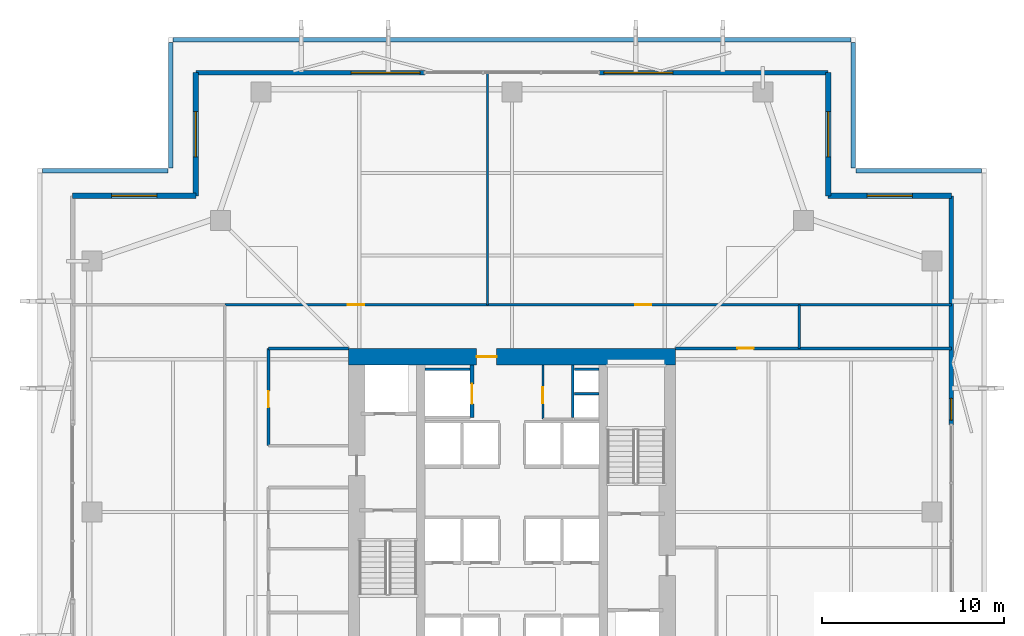
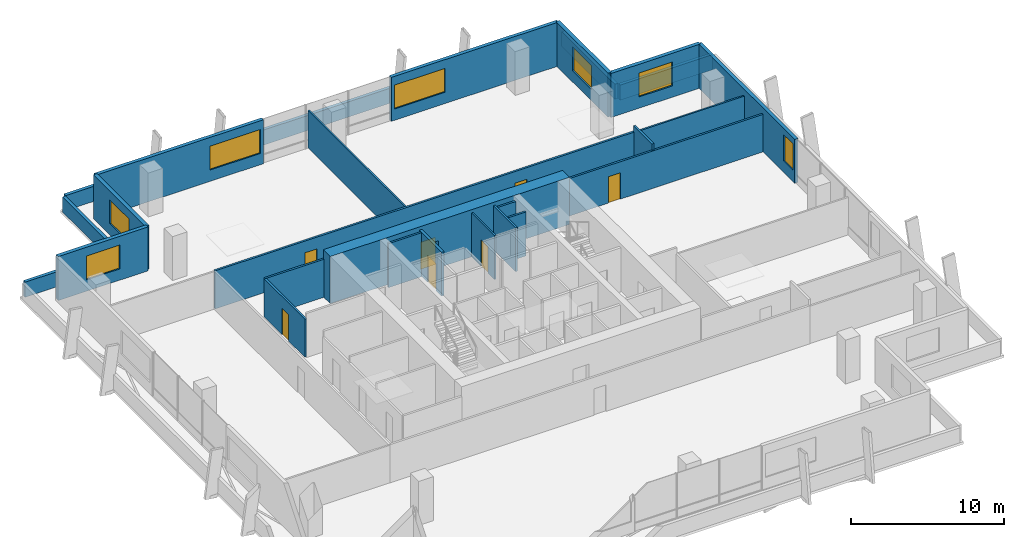
# One storey, part 14 of 16: 26 walls, 7 doors, 7 windows, 14 openings.
"""IFC4 building model written with IfcOpenShell, lengths in metres."""

from ifc_helpers import new_model, si_unit, direction, frame, frame_2d, origin, place, context, subcontext, project, spatial, rectangle, extrude, material, layer, layer_set, type_object, element, fill, save


model = new_model("IFC4")

# Units and contexts
model_context = context("Model", 3, precision=1e-05, world=origin(), true_north=direction((0.0, 1.0)))
body_context = subcontext(model_context, "Body", "Model", "MODEL_VIEW")
ifc_project = project(units=[si_unit("LENGTHUNIT", "METRE"), si_unit("AREAUNIT", "SQUARE_METRE"), si_unit("VOLUMEUNIT", "CUBIC_METRE"), si_unit("PLANEANGLEUNIT", "RADIAN"), si_unit("MASSUNIT", "GRAM", prefix="KILO")], contexts=[model_context])

# Site, building, storey
site_placement = place(None, origin())
site = spatial("IfcSite", under=ifc_project, at=site_placement, CompositionType="ELEMENT")
building_placement = place(site_placement, origin())
building = spatial("IfcBuilding", under=site, at=building_placement, Name="Belovzor Exchange Tower", CompositionType="ELEMENT")
storey_placement = place(building_placement, frame((0.0, 0.0, 138.300048828125)))
storey = spatial("IfcBuildingStorey", under=building, at=storey_placement, Name="L33", CompositionType="ELEMENT", Elevation=138.300048828125)

# Walls
ifc_material_1 = material(Name="Acoustic Plasterboard on Galvanised Studs", Category="gypsum")
ifc_layer_1 = layer(ifc_material_1, 0.1201171875)
ifc_layer_set_1 = layer_set([ifc_layer_1], Name="Acoustic Plasterboard on Galvanised Studs")
wall_type_1 = type_object("IfcWallType", Name="Acoustic Double-Stud Partition Wall 120", PredefinedType="PARTITIONING", material=ifc_layer_set_1)
wall_1_placement = place(storey_placement, frame((27.449951171875, 40.199951171875, 0.0), z_axis=(0.0, 0.0, 1.0), x_axis=(0.0, 1.0, 0.0)))
element("IfcWall", 1, at=wall_1_placement, inside=storey, type_object=wall_type_1, Name="W-P120 Partition Wall W-L33-NDIV-1", PredefinedType="PARTITIONING", context=body_context, shape_type="SweptSolid", body=[
    extrude(rectangle(XDim=12.77001953125, YDim=0.1201171875, at=frame_2d((6.385009765625, 0.0))), origin(), (0.0, 0.0, 1.0), 2.97998046875),
])
wall_2_placement = place(storey_placement, frame((44.60009765625, 40.199951171875, 0.0), z_axis=(0.0, 0.0, 1.0), x_axis=(1.0, 0.0, 0.0)))
element("IfcWall", 2, at=wall_2_placement, inside=storey, type_object=wall_type_1, Name="W-P120 Partition Wall W-L33-END-NE", PredefinedType="PARTITIONING", context=body_context, shape_type="SweptSolid", body=[
    extrude(rectangle(XDim=8.369873046875, YDim=0.1201171875, at=frame_2d((4.18505859375, 0.0))), origin(), (0.0, 0.0, 1.0), 2.97998046875),
])

# Wall, opening, door
ifc_material_2 = material(Name="Fire-Rated Plasterboard on Galvanised Studs", Category="gypsum")
ifc_layer_2 = layer(ifc_material_2, 0.1201171875)
ifc_layer_set_2 = layer_set([ifc_layer_2], Name="Fire-Rated Plasterboard on Galvanised Studs")
wall_type_2 = type_object("IfcWallType", Name="Fire-Rated Double-Stud Partition Wall 120", PredefinedType="PARTITIONING", material=ifc_layer_set_2)
wall_3_placement = place(storey_placement, frame((30.5, 33.925048828125, 0.0), z_axis=(0.0, 0.0, 1.0), x_axis=(0.0, 1.0, 0.0)))
wall_3 = element("IfcWall", 3, at=wall_3_placement, inside=storey, type_object=wall_type_2, Name="W-P120F Partition Wall W-CRV-L33-W", PredefinedType="PARTITIONING", context=body_context, shape_type="SweptSolid", body=[
    extrude(rectangle(XDim=2.974853515625, YDim=0.1201171875, at=frame_2d((1.4873046875, 0.0))), origin(), (0.0, 0.0, 1.0), 3.494873046875),
])
opening_1_placement = place(wall_3_placement, frame((0.85009765625, 0.0, 0.0)))
opening_1 = element("IfcOpeningElement", 4, at=opening_1_placement, cuts=wall_3, Name="Opening D-FD60-090", PredefinedType="OPENING", context=body_context, shape_type="SweptSolid", body=[
    extrude(rectangle(XDim=0.89990234375, YDim=2.10009765625, at=frame_2d((0.449951171875, 1.050048828125))), frame((0.0, 0.070068359375, 0.0), z_axis=(0.0, -1.0, 0.0), x_axis=(1.0, 0.0, 0.0)), (0.0, 0.0, 1.0), 0.14013671875),
])
ifc_material_3 = material(Name="Acoustic Timber Fire Leaf", Category="wood")
door_type_1 = type_object("IfcDoorType", Name="Core Service & Restroom Fire Door 900x2100", OperationType="NOTDEFINED", PredefinedType="DOOR", material=ifc_material_3)
door_1_placement = place(opening_1_placement, origin())
door_1 = element("IfcDoor", 5, at=door_1_placement, inside=storey, type_object=door_type_1, Name="D-FD60-090 Core Service & Restroom Fire Door 900x2100", OperationType="SINGLE_SWING_LEFT", OverallHeight=2.10009765625, OverallWidth=0.89990234375, PredefinedType="DOOR", context=body_context, shape_type="SweptSolid", body=[
    extrude(rectangle(XDim=0.89990234375, YDim=2.10009765625, at=frame_2d((0.449951171875, 1.050048828125))), frame((0.0, 0.02490234375, 0.0), z_axis=(0.0, -1.0, 0.0), x_axis=(1.0, 0.0, 0.0)), (0.0, 0.0, 1.0), 0.050048828125),
])
fill(opening_1, door_1)

# Wall
ifc_material_4 = material(Name="Fire-Rated Gypsum Block and Mineral Wool", Category="gypsum")
ifc_layer_3 = layer(ifc_material_4, 0.14990234375)
ifc_layer_set_3 = layer_set([ifc_layer_3], Name="Fire-Rated Gypsum Block and Mineral Wool")
wall_type_3 = type_object("IfcWallType", Name="Fire-Rated Gypsum Block Corridor Wall 150", PredefinedType="PARTITIONING", material=ifc_layer_set_3)
wall_4_placement = place(storey_placement, frame((15.39990234375, 37.800048828125, 0.0), z_axis=(0.0, 0.0, 1.0), x_axis=(1.0, 0.0, 0.0)))
element("IfcWall", 6, at=wall_4_placement, inside=storey, type_object=wall_type_3, Name="W-P150 Partition Wall W-L33-INW-N", PredefinedType="PARTITIONING", context=body_context, shape_type="SweptSolid", body=[
    extrude(rectangle(XDim=4.400146484375, YDim=0.14990234375, at=frame_2d((2.2001953125, 0.0))), origin(), (0.0, 0.0, 1.0), 3.030029296875),
])

# Wall, opening, door
wall_5_placement = place(storey_placement, frame((15.39990234375, 32.449951171875, 0.0), z_axis=(0.0, 0.0, 1.0), x_axis=(0.0, 1.0, 0.0)))
wall_5 = element("IfcWall", 7, at=wall_5_placement, inside=storey, type_object=wall_type_3, Name="W-P150 Partition Wall W-L33-WIE-N", PredefinedType="PARTITIONING", context=body_context, shape_type="SweptSolid", body=[
    extrude(rectangle(XDim=5.35009765625, YDim=0.14990234375, at=frame_2d((2.675048828125, 0.0))), origin(), (0.0, 0.0, 1.0), 3.030029296875),
])
opening_2_placement = place(wall_5_placement, frame((2.10009765625, 0.0, 0.0)))
opening_2 = element("IfcOpeningElement", 8, at=opening_2_placement, cuts=wall_5, Name="Opening D-FD60-090", PredefinedType="OPENING", context=body_context, shape_type="SweptSolid", body=[
    extrude(rectangle(XDim=0.89990234375, YDim=2.10009765625, at=frame_2d((0.449951171875, 1.050048828125))), frame((0.0, 0.0849609375, 0.0), z_axis=(0.0, -1.0, 0.0), x_axis=(1.0, 0.0, 0.0)), (0.0, 0.0, 1.0), 0.169921875),
])
door_2_placement = place(opening_2_placement, origin())
door_2 = element("IfcDoor", 9, at=door_2_placement, inside=storey, type_object=door_type_1, Name="D-FD60-090 Core Service & Restroom Fire Door 900x2100", OperationType="SINGLE_SWING_LEFT", OverallHeight=2.10009765625, OverallWidth=0.89990234375, PredefinedType="DOOR", context=body_context, shape_type="SweptSolid", body=[
    extrude(rectangle(XDim=0.89990234375, YDim=2.10009765625, at=frame_2d((0.449951171875, 1.050048828125))), frame((0.0, 0.02490234375, 0.0), z_axis=(0.0, -1.0, 0.0), x_axis=(1.0, 0.0, 0.0)), (0.0, 0.0, 1.0), 0.050048828125),
])
fill(opening_2, door_2)

# Wall
wall_6_placement = place(storey_placement, frame((44.60009765625, 37.800048828125, 0.0), z_axis=(0.0, 0.0, 1.0), x_axis=(0.0, 1.0, 0.0)))
element("IfcWall", 10, at=wall_6_placement, inside=storey, type_object=wall_type_3, Name="W-P150 Partition Wall W-L33-END-EN", PredefinedType="PARTITIONING", context=body_context, shape_type="SweptSolid", body=[
    extrude(rectangle(XDim=2.39990234375, YDim=0.14990234375, at=frame_2d((1.199951171875, 0.0))), origin(), (0.0, 0.0, 1.0), 3.494873046875),
])

# Wall, opening, door
wall_7_placement = place(storey_placement, frame((37.800048828125, 37.800048828125, 0.0), z_axis=(0.0, 0.0, 1.0), x_axis=(1.0, 0.0, 0.0)))
wall_7 = element("IfcWall", 11, at=wall_7_placement, inside=storey, type_object=wall_type_3, Name="W-P150 Partition Wall W-L33-CN-IN", PredefinedType="PARTITIONING", context=body_context, shape_type="SweptSolid", body=[
    extrude(rectangle(XDim=15.169921875, YDim=0.14990234375, at=frame_2d((7.5849609375, 0.0))), origin(), (0.0, 0.0, 1.0), 2.97998046875),
])
opening_3_placement = place(wall_7_placement, frame((3.39990234375, 0.0, 0.0)))
opening_3 = element("IfcOpeningElement", 12, at=opening_3_placement, cuts=wall_7, Name="Opening D-INT-090", PredefinedType="OPENING", context=body_context, shape_type="SweptSolid", body=[
    extrude(rectangle(XDim=0.89990234375, YDim=2.10009765625, at=frame_2d((0.449951171875, 1.050048828125))), frame((0.0, 0.0849609375, 0.0), z_axis=(0.0, -1.0, 0.0), x_axis=(1.0, 0.0, 0.0)), (0.0, 0.0, 1.0), 0.169921875),
])
ifc_material_5 = material(Name="Veneered Hardwood Acoustic Leaf", Category="wood")
door_type_2 = type_object("IfcDoorType", Name="Trading Suite Acoustic Single Door 900x2100", OperationType="NOTDEFINED", PredefinedType="DOOR", material=ifc_material_5)
door_3_placement = place(opening_3_placement, origin())
door_3 = element("IfcDoor", 13, at=door_3_placement, inside=storey, type_object=door_type_2, Name="D-INT-090 Trading Suite Acoustic Single Door 900x2100", OperationType="SINGLE_SWING_RIGHT", OverallHeight=2.10009765625, OverallWidth=0.89990234375, PredefinedType="DOOR", context=body_context, shape_type="SweptSolid", body=[
    extrude(rectangle(XDim=0.89990234375, YDim=2.10009765625, at=frame_2d((0.449951171875, 1.050048828125))), frame((0.0, 0.02490234375, 0.0), z_axis=(0.0, -1.0, 0.0), x_axis=(1.0, 0.0, 0.0)), (0.0, 0.0, 1.0), 0.050048828125),
])
fill(opening_3, door_3)

# Wall, openings, doors
wall_8_placement = place(storey_placement, frame((13.0, 40.199951171875, 0.0), z_axis=(0.0, 0.0, 1.0), x_axis=(1.0, 0.0, 0.0)))
wall_8 = element("IfcWall", 14, at=wall_8_placement, inside=storey, type_object=wall_type_3, Name="W-P150 Partition Wall W-L33-CN", PredefinedType="PARTITIONING", context=body_context, shape_type="SweptSolid", body=[
    extrude(rectangle(XDim=31.60009765625, YDim=0.14990234375, at=frame_2d((15.800048828125, 0.0))), origin(), (0.0, 0.0, 1.0), 3.030029296875),
])
opening_4_placement = place(wall_8_placement, frame((6.77490234375, 0.0, 0.0)))
opening_4 = element("IfcOpeningElement", 15, at=opening_4_placement, cuts=wall_8, Name="Opening D-INT-090", PredefinedType="OPENING", context=body_context, shape_type="SweptSolid", body=[
    extrude(rectangle(XDim=0.89990234375, YDim=2.10009765625, at=frame_2d((0.449951171875, 1.050048828125))), frame((0.0, 0.0849609375, 0.0), z_axis=(0.0, -1.0, 0.0), x_axis=(1.0, 0.0, 0.0)), (0.0, 0.0, 1.0), 0.169921875),
])
opening_5_placement = place(wall_8_placement, frame((22.574951171875, 0.0, 0.0)))
opening_5 = element("IfcOpeningElement", 16, at=opening_5_placement, cuts=wall_8, Name="Opening D-INT-090", PredefinedType="OPENING", context=body_context, shape_type="SweptSolid", body=[
    extrude(rectangle(XDim=0.89990234375, YDim=2.10009765625, at=frame_2d((0.449951171875, 1.050048828125))), frame((0.0, 0.0849609375, 0.0), z_axis=(0.0, -1.0, 0.0), x_axis=(1.0, 0.0, 0.0)), (0.0, 0.0, 1.0), 0.169921875),
])
door_4_placement = place(opening_4_placement, origin())
door_4 = element("IfcDoor", 17, at=door_4_placement, inside=storey, type_object=door_type_2, Name="D-INT-090 Trading Suite Acoustic Single Door 900x2100", OperationType="SINGLE_SWING_RIGHT", OverallHeight=2.10009765625, OverallWidth=0.89990234375, PredefinedType="DOOR", context=body_context, shape_type="SweptSolid", body=[
    extrude(rectangle(XDim=0.89990234375, YDim=2.10009765625, at=frame_2d((0.449951171875, 1.050048828125))), frame((0.0, 0.02490234375, 0.0), z_axis=(0.0, -1.0, 0.0), x_axis=(1.0, 0.0, 0.0)), (0.0, 0.0, 1.0), 0.050048828125),
])
fill(opening_4, door_4)
door_5_placement = place(opening_5_placement, origin())
door_5 = element("IfcDoor", 18, at=door_5_placement, inside=storey, type_object=door_type_2, Name="D-INT-090 Trading Suite Acoustic Single Door 900x2100", OperationType="SINGLE_SWING_LEFT", OverallHeight=2.10009765625, OverallWidth=0.89990234375, PredefinedType="DOOR", context=body_context, shape_type="SweptSolid", body=[
    extrude(rectangle(XDim=0.89990234375, YDim=2.10009765625, at=frame_2d((0.449951171875, 1.050048828125))), frame((0.0, 0.02490234375, 0.0), z_axis=(0.0, -1.0, 0.0), x_axis=(1.0, 0.0, 0.0)), (0.0, 0.0, 1.0), 0.050048828125),
])
fill(opening_5, door_5)

# Wall, opening, window
ifc_material_6 = material(Name="Precast concrete C40/50", Category="concrete")
ifc_layer_4 = layer(ifc_material_6, 0.280029296875)
ifc_layer_set_4 = layer_set([ifc_layer_4], Name="Precast concrete C40/50")
wall_type_4 = type_object("IfcWallType", Name="Precast Concrete Notched Corner Frame Wall 280", PredefinedType="SOLIDWALL", material=ifc_layer_set_4)
wall_9_placement = place(storey_placement, frame((4.6298828125, 46.199951171875, 0.0), z_axis=(0.0, 0.0, 1.0), x_axis=(1.0, 0.0, 0.0)))
wall_9 = element("IfcWall", 19, at=wall_9_placement, inside=storey, type_object=wall_type_4, Name="W-CRN280 Precast Concrete Notched Corner Frame Wall 280 L33", PredefinedType="SOLIDWALL", context=body_context, shape_type="SweptSolid", body=[
    extrude(rectangle(XDim=6.77001953125, YDim=0.280029296875, at=frame_2d((3.385009765625, 0.0))), origin(), (0.0, 0.0, 1.0), 3.494873046875),
])
opening_6_placement = place(wall_9_placement, frame((2.135009765625, 0.0, 0.89990234375)))
opening_6 = element("IfcOpeningElement", 20, at=opening_6_placement, cuts=wall_9, Name="Opening WN-CRN250", PredefinedType="OPENING", context=body_context, shape_type="SweptSolid", body=[
    extrude(rectangle(XDim=2.5, YDim=1.89990234375, at=frame_2d((1.25, 0.949951171875))), frame((0.0, 0.14990234375, 0.0), z_axis=(0.0, -1.0, 0.0), x_axis=(1.0, 0.0, 0.0)), (0.0, 0.0, 1.0), 0.300048828125),
])
ifc_material_7 = material(Name="Thermally Broken Aluminium and Triple Glazing", Category="aluminium")
window_type_1 = type_object("IfcWindowType", Name="Streamline Moderne Corner Wrap Ribbon Window 2500x1900", PartitioningType="SINGLE_PANEL", PredefinedType="WINDOW", material=ifc_material_7)
window_1_placement = place(opening_6_placement, origin())
window_1 = element("IfcWindow", 21, at=window_1_placement, inside=storey, type_object=window_type_1, Name="WN-CRN250 Streamline Moderne Corner Wrap Ribbon Window 2500x1900", OverallHeight=1.89990234375, OverallWidth=2.5, PartitioningType="SINGLE_PANEL", PredefinedType="WINDOW", context=body_context, shape_type="SweptSolid", body=[
    extrude(rectangle(XDim=2.5, YDim=1.89990234375, at=frame_2d((1.25, 0.949951171875))), frame((0.0, 0.030029296875, 0.0), z_axis=(0.0, -1.0, 0.0), x_axis=(1.0, 0.0, 0.0)), (0.0, 0.0, 1.0), 0.06005859375),
])
fill(opening_6, window_1)

wall_10_placement = place(storey_placement, frame((11.39990234375, 46.199951171875, 0.0), z_axis=(0.0, 0.0, 1.0), x_axis=(0.0, 1.0, 0.0)))
wall_10 = element("IfcWall", 22, at=wall_10_placement, inside=storey, type_object=wall_type_4, Name="W-CRN280 Precast Concrete Notched Corner Frame Wall 280 L33", PredefinedType="SOLIDWALL", context=body_context, shape_type="SweptSolid", body=[
    extrude(rectangle(XDim=6.77001953125, YDim=0.280029296875, at=frame_2d((3.385009765625, 0.0))), origin(), (0.0, 0.0, 1.0), 3.494873046875),
])
opening_7_placement = place(wall_10_placement, frame((2.135009765625, 0.0, 0.89990234375)))
opening_7 = element("IfcOpeningElement", 23, at=opening_7_placement, cuts=wall_10, Name="Opening WN-CRN250", PredefinedType="OPENING", context=body_context, shape_type="SweptSolid", body=[
    extrude(rectangle(XDim=2.5, YDim=1.89990234375, at=frame_2d((1.25, 0.949951171875))), frame((0.0, 0.14990234375, 0.0), z_axis=(0.0, -1.0, 0.0), x_axis=(1.0, 0.0, 0.0)), (0.0, 0.0, 1.0), 0.300048828125),
])
window_2_placement = place(opening_7_placement, origin())
window_2 = element("IfcWindow", 24, at=window_2_placement, inside=storey, type_object=window_type_1, Name="WN-CRN250 Streamline Moderne Corner Wrap Ribbon Window 2500x1900", OverallHeight=1.89990234375, OverallWidth=2.5, PartitioningType="SINGLE_PANEL", PredefinedType="WINDOW", context=body_context, shape_type="SweptSolid", body=[
    extrude(rectangle(XDim=2.5, YDim=1.89990234375, at=frame_2d((1.25, 0.949951171875))), frame((0.0, 0.030029296875, 0.0), z_axis=(0.0, -1.0, 0.0), x_axis=(1.0, 0.0, 0.0)), (0.0, 0.0, 1.0), 0.06005859375),
])
fill(opening_7, window_2)

wall_11_placement = place(storey_placement, frame((46.199951171875, 52.969970703125, 0.0), z_axis=(0.0, 0.0, 1.0), x_axis=(0.0, -1.0, 0.0)))
wall_11 = element("IfcWall", 25, at=wall_11_placement, inside=storey, type_object=wall_type_4, Name="W-CRN280 Precast Concrete Notched Corner Frame Wall 280 L33", PredefinedType="SOLIDWALL", context=body_context, shape_type="SweptSolid", body=[
    extrude(rectangle(XDim=6.77001953125, YDim=0.280029296875, at=frame_2d((3.385009765625, 0.0))), origin(), (0.0, 0.0, 1.0), 3.494873046875),
])
opening_8_placement = place(wall_11_placement, frame((2.135009765625, 0.0, 0.89990234375)))
opening_8 = element("IfcOpeningElement", 26, at=opening_8_placement, cuts=wall_11, Name="Opening WN-CRN250", PredefinedType="OPENING", context=body_context, shape_type="SweptSolid", body=[
    extrude(rectangle(XDim=2.5, YDim=1.89990234375, at=frame_2d((1.25, 0.949951171875))), frame((0.0, 0.14990234375, 0.0), z_axis=(0.0, -1.0, 0.0), x_axis=(1.0, 0.0, 0.0)), (0.0, 0.0, 1.0), 0.300048828125),
])
window_3_placement = place(opening_8_placement, origin())
window_3 = element("IfcWindow", 27, at=window_3_placement, inside=storey, type_object=window_type_1, Name="WN-CRN250 Streamline Moderne Corner Wrap Ribbon Window 2500x1900", OverallHeight=1.89990234375, OverallWidth=2.5, PartitioningType="SINGLE_PANEL", PredefinedType="WINDOW", context=body_context, shape_type="SweptSolid", body=[
    extrude(rectangle(XDim=2.5, YDim=1.89990234375, at=frame_2d((1.25, 0.949951171875))), frame((0.0, 0.030029296875, 0.0), z_axis=(0.0, -1.0, 0.0), x_axis=(1.0, 0.0, 0.0)), (0.0, 0.0, 1.0), 0.06005859375),
])
fill(opening_8, window_3)

wall_12_placement = place(storey_placement, frame((46.199951171875, 46.199951171875, 0.0), z_axis=(0.0, 0.0, 1.0), x_axis=(1.0, 0.0, 0.0)))
wall_12 = element("IfcWall", 28, at=wall_12_placement, inside=storey, type_object=wall_type_4, Name="W-CRN280 Precast Concrete Notched Corner Frame Wall 280 L33", PredefinedType="SOLIDWALL", context=body_context, shape_type="SweptSolid", body=[
    extrude(rectangle(XDim=6.77001953125, YDim=0.280029296875, at=frame_2d((3.385009765625, 0.0))), origin(), (0.0, 0.0, 1.0), 3.494873046875),
])
opening_9_placement = place(wall_12_placement, frame((2.135009765625, 0.0, 0.89990234375)))
opening_9 = element("IfcOpeningElement", 29, at=opening_9_placement, cuts=wall_12, Name="Opening WN-CRN250", PredefinedType="OPENING", context=body_context, shape_type="SweptSolid", body=[
    extrude(rectangle(XDim=2.5, YDim=1.89990234375, at=frame_2d((1.25, 0.949951171875))), frame((0.0, 0.14990234375, 0.0), z_axis=(0.0, -1.0, 0.0), x_axis=(1.0, 0.0, 0.0)), (0.0, 0.0, 1.0), 0.300048828125),
])
window_4_placement = place(opening_9_placement, origin())
window_4 = element("IfcWindow", 30, at=window_4_placement, inside=storey, type_object=window_type_1, Name="WN-CRN250 Streamline Moderne Corner Wrap Ribbon Window 2500x1900", OverallHeight=1.89990234375, OverallWidth=2.5, PartitioningType="SINGLE_PANEL", PredefinedType="WINDOW", context=body_context, shape_type="SweptSolid", body=[
    extrude(rectangle(XDim=2.5, YDim=1.89990234375, at=frame_2d((1.25, 0.949951171875))), frame((0.0, 0.030029296875, 0.0), z_axis=(0.0, -1.0, 0.0), x_axis=(1.0, 0.0, 0.0)), (0.0, 0.0, 1.0), 0.06005859375),
])
fill(opening_9, window_4)

ifc_material_8 = material(Name="Precast concrete C40/50", Category="concrete")
ifc_layer_5 = layer(ifc_material_8, 0.260009765625)
ifc_layer_set_5 = layer_set([ifc_layer_5], Name="Precast concrete C40/50")
wall_type_5 = type_object("IfcWallType", Name="Precast Concrete Perimeter Loggia Frame Wall 260", PredefinedType="SOLIDWALL", material=ifc_layer_set_5)
wall_13_placement = place(storey_placement, frame((11.39990234375, 52.969970703125, 0.0), z_axis=(0.0, 0.0, 1.0), x_axis=(1.0, 0.0, 0.0)))
wall_13 = element("IfcWall", 31, at=wall_13_placement, inside=storey, type_object=wall_type_5, Name="W-EXT260 Precast Concrete Perimeter Loggia Frame Wall 260 L33", PredefinedType="SOLIDWALL", context=body_context, shape_type="SweptSolid", body=[
    extrude(rectangle(XDim=12.60009765625, YDim=0.260009765625, at=frame_2d((6.300048828125, 0.0))), origin(), (0.0, 0.0, 1.0), 3.494873046875),
])
opening_10_placement = place(wall_13_placement, frame((8.550048828125, 0.0, 0.89990234375)))
opening_10 = element("IfcOpeningElement", 32, at=opening_10_placement, cuts=wall_13, Name="Opening WN-RIB380", PredefinedType="OPENING", context=body_context, shape_type="SweptSolid", body=[
    extrude(rectangle(XDim=3.800048828125, YDim=1.89990234375, at=frame_2d((1.89990234375, 0.949951171875))), frame((0.0, 0.139892578125, 0.0), z_axis=(0.0, -1.0, 0.0), x_axis=(1.0, 0.0, 0.0)), (0.0, 0.0, 1.0), 0.280029296875),
])
ifc_material_9 = material(Name="Thermally Broken Aluminium and Triple Glazing", Category="aluminium")
window_type_2 = type_object("IfcWindowType", Name="Streamline Moderne Horizontal Ribbon Window 3800x1900", PartitioningType="SINGLE_PANEL", PredefinedType="WINDOW", material=ifc_material_9)
window_5_placement = place(opening_10_placement, origin())
window_5 = element("IfcWindow", 33, at=window_5_placement, inside=storey, type_object=window_type_2, Name="WN-RIB380 Streamline Moderne Horizontal Ribbon Window 3800x1900", OverallHeight=1.89990234375, OverallWidth=3.800048828125, PartitioningType="SINGLE_PANEL", PredefinedType="WINDOW", context=body_context, shape_type="SweptSolid", body=[
    extrude(rectangle(XDim=3.800048828125, YDim=1.89990234375, at=frame_2d((1.89990234375, 0.949951171875))), frame((0.0, 0.030029296875, 0.0), z_axis=(0.0, -1.0, 0.0), x_axis=(1.0, 0.0, 0.0)), (0.0, 0.0, 1.0), 0.06005859375),
])
fill(opening_10, window_5)

wall_14_placement = place(storey_placement, frame((33.60009765625, 52.969970703125, 0.0), z_axis=(0.0, 0.0, 1.0), x_axis=(1.0, 0.0, 0.0)))
wall_14 = element("IfcWall", 34, at=wall_14_placement, inside=storey, type_object=wall_type_5, Name="W-EXT260 Precast Concrete Perimeter Loggia Frame Wall 260 L33", PredefinedType="SOLIDWALL", context=body_context, shape_type="SweptSolid", body=[
    extrude(rectangle(XDim=12.599853515625, YDim=0.260009765625, at=frame_2d((6.2998046875, 0.0))), origin(), (0.0, 0.0, 1.0), 3.494873046875),
])
opening_11_placement = place(wall_14_placement, frame((0.25, 0.0, 0.89990234375)))
opening_11 = element("IfcOpeningElement", 35, at=opening_11_placement, cuts=wall_14, Name="Opening WN-RIB380", PredefinedType="OPENING", context=body_context, shape_type="SweptSolid", body=[
    extrude(rectangle(XDim=3.800048828125, YDim=1.89990234375, at=frame_2d((1.89990234375, 0.949951171875))), frame((0.0, 0.139892578125, 0.0), z_axis=(0.0, -1.0, 0.0), x_axis=(1.0, 0.0, 0.0)), (0.0, 0.0, 1.0), 0.280029296875),
])
window_6_placement = place(opening_11_placement, origin())
window_6 = element("IfcWindow", 36, at=window_6_placement, inside=storey, type_object=window_type_2, Name="WN-RIB380 Streamline Moderne Horizontal Ribbon Window 3800x1900", OverallHeight=1.89990234375, OverallWidth=3.800048828125, PartitioningType="SINGLE_PANEL", PredefinedType="WINDOW", context=body_context, shape_type="SweptSolid", body=[
    extrude(rectangle(XDim=3.800048828125, YDim=1.89990234375, at=frame_2d((1.89990234375, 0.949951171875))), frame((0.0, 0.030029296875, 0.0), z_axis=(0.0, -1.0, 0.0), x_axis=(1.0, 0.0, 0.0)), (0.0, 0.0, 1.0), 0.06005859375),
])
fill(opening_11, window_6)

wall_15_placement = place(storey_placement, frame((52.969970703125, 46.199951171875, 0.0), z_axis=(0.0, 0.0, 1.0), x_axis=(0.0, -1.0, 0.0)))
wall_15 = element("IfcWall", 37, at=wall_15_placement, inside=storey, type_object=wall_type_5, Name="W-EXT260 Precast Concrete Perimeter Loggia Frame Wall 260 L33", PredefinedType="SOLIDWALL", context=body_context, shape_type="SweptSolid", body=[
    extrude(rectangle(XDim=12.599853515625, YDim=0.260009765625, at=frame_2d((6.2998046875, 0.0))), origin(), (0.0, 0.0, 1.0), 3.494873046875),
])
opening_12_placement = place(wall_15_placement, frame((11.14990234375, 0.0, 0.89990234375)))
opening_12 = element("IfcOpeningElement", 38, at=opening_12_placement, cuts=wall_15, Name="Opening WN-CRN120", PredefinedType="OPENING", context=body_context, shape_type="SweptSolid", body=[
    extrude(rectangle(XDim=1.199951171875, YDim=2.10009765625, at=frame_2d((0.60009765625, 1.050048828125))), frame((0.0, 0.139892578125, 0.0), z_axis=(0.0, -1.0, 0.0), x_axis=(1.0, 0.0, 0.0)), (0.0, 0.0, 1.0), 0.280029296875),
])
ifc_material_10 = material(Name="Thermally Broken Aluminium and Triple Glazing", Category="aluminium")
window_type_3 = type_object("IfcWindowType", Name="Streamline Notched Corner Window 1200x2100", PartitioningType="SINGLE_PANEL", PredefinedType="WINDOW", material=ifc_material_10)
window_7_placement = place(opening_12_placement, origin())
window_7 = element("IfcWindow", 39, at=window_7_placement, inside=storey, type_object=window_type_3, Name="WN-CRN120 Streamline Notched Corner Window 1200x2100", OverallHeight=2.10009765625, OverallWidth=1.199951171875, PartitioningType="SINGLE_PANEL", PredefinedType="WINDOW", context=body_context, shape_type="SweptSolid", body=[
    extrude(rectangle(XDim=1.199951171875, YDim=2.10009765625, at=frame_2d((0.60009765625, 1.050048828125))), frame((0.0, 0.030029296875, 0.0), z_axis=(0.0, -1.0, 0.0), x_axis=(1.0, 0.0, 0.0)), (0.0, 0.0, 1.0), 0.06005859375),
])
fill(opening_12, window_7)

# Walls
ifc_material_11 = material(Name="Precast concrete C40/50", Category="concrete")
ifc_layer_6 = layer(ifc_material_11, 0.239990234375)
ifc_layer_set_6 = layer_set([ifc_layer_6], Name="Precast concrete C40/50")
wall_type_6 = type_object("IfcWallType", Name="Precast Stone Setback Roof Parapet Wall 240", PredefinedType="PARAPET", material=ifc_layer_set_6)
for number, where, z_axis, x_axis, name in (
    (40, (54.64501953125, 47.580078125, 0.0), (0.0, 0.0, 1.0), (-1.0, 0.0, 0.0), "W-PAR240 Precast Stone Setback Roof Parapet Wall 240 L33"),
    (41, (47.580078125, 47.715087890625, 0.0), (0.0, 0.0, 1.0), (0.0, 1.0, 0.0), "W-PAR240 Precast Stone Setback Roof Parapet Wall 240 L33"),
):
    element("IfcWall", number, at=place(storey_placement, frame(where, z_axis=z_axis, x_axis=x_axis)), inside=storey, type_object=wall_type_6, Name=name, PredefinedType="PARAPET", context=body_context, shape_type="SweptSolid", body=[
        extrude(rectangle(XDim=6.929931640625, YDim=0.239990234375, at=frame_2d((3.46484375, 0.0))), origin(), (0.0, 0.0, 1.0), 1.199951171875),
    ])
wall_16_placement = place(storey_placement, frame((47.445068359375, 54.780029296875, 0.0), z_axis=(0.0, 0.0, 1.0), x_axis=(-1.0, 0.0, 0.0)))
element("IfcWall", 42, at=wall_16_placement, inside=storey, type_object=wall_type_6, Name="W-PAR240 Precast Stone Setback Roof Parapet Wall 240 L33", PredefinedType="PARAPET", context=body_context, shape_type="SweptSolid", body=[
    extrude(rectangle(XDim=37.2900390625, YDim=0.239990234375, at=frame_2d((18.64501953125, 0.0))), origin(), (0.0, 0.0, 1.0), 1.199951171875),
])
for number, where, z_axis, x_axis, name in (
    (43, (10.02001953125, 54.64501953125, 0.0), (0.0, 0.0, 1.0), (0.0, -1.0, 0.0), "W-PAR240 Precast Stone Setback Roof Parapet Wall 240 L33"),
    (44, (9.885009765625, 47.580078125, 0.0), (0.0, 0.0, 1.0), (-1.0, 0.0, 0.0), "W-PAR240 Precast Stone Setback Roof Parapet Wall 240 L33"),
):
    element("IfcWall", number, at=place(storey_placement, frame(where, z_axis=z_axis, x_axis=x_axis)), inside=storey, type_object=wall_type_6, Name=name, PredefinedType="PARAPET", context=body_context, shape_type="SweptSolid", body=[
        extrude(rectangle(XDim=6.929931640625, YDim=0.239990234375, at=frame_2d((3.46484375, 0.0))), origin(), (0.0, 0.0, 1.0), 1.199951171875),
    ])
ifc_material_12 = material(Name="Concrete C50/60", Category="concrete")
ifc_layer_7 = layer(ifc_material_12, 0.14990234375)
ifc_layer_set_7 = layer_set([ifc_layer_7], Name="Concrete C50/60")
wall_type_7 = type_object("IfcWallType", Name="Reinforced Concrete Core Riser Shear Wall 150", PredefinedType="SHEAR", material=ifc_layer_set_7)
wall_17_placement = place(storey_placement, frame((32.14990234375, 34.0, 0.0), z_axis=(0.0, 0.0, 1.0), x_axis=(0.0, 1.0, 0.0)))
element("IfcWall", 45, at=wall_17_placement, inside=storey, type_object=wall_type_7, Name="W-C150S Core Shaft Wall W-RSR-L33-E", PredefinedType="SHEAR", context=body_context, shape_type="SweptSolid", body=[
    extrude(rectangle(XDim=2.89990234375, YDim=0.14990234375, at=frame_2d((1.449951171875, 0.0))), origin(), (0.0, 0.0, 1.0), 3.494873046875),
])
wall_18_placement = place(storey_placement, frame((32.25, 35.300048828125, 0.0), z_axis=(0.0, 0.0, 1.0), x_axis=(1.0, 0.0, 0.0)))
element("IfcWall", 46, at=wall_18_placement, inside=storey, type_object=wall_type_7, Name="W-C150S Core Shaft Wall W-RSR-L33-M", PredefinedType="SHEAR", context=body_context, shape_type="SweptSolid", body=[
    extrude(rectangle(XDim=1.330078125, YDim=0.14990234375, at=frame_2d((0.6650390625, 0.0))), origin(), (0.0, 0.0, 1.0), 3.494873046875),
])
wall_19_placement = place(storey_placement, frame((24.0, 36.64990234375, 0.0), z_axis=(0.0, 0.0, 1.0), x_axis=(1.0, 0.0, 0.0)))
element("IfcWall", 47, at=wall_19_placement, inside=storey, type_object=wall_type_7, Name="W-C150S Core Shaft Wall W-SH-L33-SL-01N", PredefinedType="SHEAR", context=body_context, shape_type="SweptSolid", body=[
    extrude(rectangle(XDim=2.47998046875, YDim=0.14990234375, at=frame_2d((1.239990234375, 0.0))), origin(), (0.0, 0.0, 1.0), 3.494873046875),
])
wall_20_placement = place(storey_placement, frame((32.25, 36.64990234375, 0.0), z_axis=(0.0, 0.0, 1.0), x_axis=(1.0, 0.0, 0.0)))
element("IfcWall", 48, at=wall_20_placement, inside=storey, type_object=wall_type_7, Name="W-C150S Core Shaft Wall W-RSR-L33-N", PredefinedType="SHEAR", context=body_context, shape_type="SweptSolid", body=[
    extrude(rectangle(XDim=1.330078125, YDim=0.14990234375, at=frame_2d((0.6650390625, 0.0))), origin(), (0.0, 0.0, 1.0), 3.494873046875),
])

# Wall, opening, door
ifc_material_13 = material(Name="Concrete C50/60", Category="concrete")
ifc_layer_8 = layer(ifc_material_13, 0.199951171875)
ifc_layer_set_8 = layer_set([ifc_layer_8], Name="Concrete C50/60")
wall_type_8 = type_object("IfcWallType", Name="Reinforced Concrete Core Shaft Shear Wall 200", PredefinedType="SHEAR", material=ifc_layer_set_8)
wall_21_placement = place(storey_placement, frame((26.60009765625, 34.0, 0.0), z_axis=(0.0, 0.0, 1.0), x_axis=(0.0, 1.0, 0.0)))
wall_21 = element("IfcWall", 49, at=wall_21_placement, inside=storey, type_object=wall_type_8, Name="W-C200S Core Shaft Wall W-SH-L33-SL-01", PredefinedType="SHEAR", context=body_context, shape_type="SweptSolid", body=[
    extrude(rectangle(XDim=2.89990234375, YDim=0.199951171875, at=frame_2d((1.449951171875, 0.0))), origin(), (0.0, 0.0, 1.0), 3.494873046875),
])
opening_13_placement = place(wall_21_placement, frame((0.75, 0.0, 0.0)))
opening_13 = element("IfcOpeningElement", 50, at=opening_13_placement, cuts=wall_21, Name="Opening LD-110", PredefinedType="OPENING", context=body_context, shape_type="SweptSolid", body=[
    extrude(rectangle(XDim=1.10009765625, YDim=2.14990234375, at=frame_2d((0.550048828125, 1.074951171875))), frame((0.0, 0.10986328125, 0.0), z_axis=(0.0, -1.0, 0.0), x_axis=(1.0, 0.0, 0.0)), (0.0, 0.0, 1.0), 0.219970703125),
])
ifc_material_14 = material(Name="Stainless Steel Grade 304", Category="steel")
door_type_3 = type_object("IfcDoorType", Name="Automated Stainless Steel Lift Landing Door 1100x2150", OperationType="SLIDING_TO_RIGHT", PredefinedType="DOOR", material=ifc_material_14)
door_6_placement = place(opening_13_placement, origin())
door_6 = element("IfcDoor", 51, at=door_6_placement, inside=storey, type_object=door_type_3, Name="LD-110 Automated Stainless Steel Lift Landing Door 1100x2150", OperationType="SLIDING_TO_RIGHT", OverallHeight=2.14990234375, OverallWidth=1.10009765625, PredefinedType="DOOR", context=body_context, shape_type="SweptSolid", body=[
    extrude(rectangle(XDim=1.10009765625, YDim=2.14990234375, at=frame_2d((0.550048828125, 1.074951171875))), frame((0.0, 0.02490234375, 0.0), z_axis=(0.0, -1.0, 0.0), x_axis=(1.0, 0.0, 0.0)), (0.0, 0.0, 1.0), 0.050048828125),
])
fill(opening_13, door_6)

ifc_material_15 = material(Name="Concrete C60/75", Category="concrete")
ifc_layer_9 = layer(ifc_material_15, 0.89990234375)
ifc_layer_set_9 = layer_set([ifc_layer_9], Name="Concrete C60/75")
wall_type_9 = type_object("IfcWallType", Name="Reinforced Concrete Core Shear Wall 900", PredefinedType="SHEAR", material=ifc_layer_set_9)
wall_22_placement = place(storey_placement, frame((19.800048828125, 37.35009765625, 0.0), z_axis=(0.0, 0.0, 1.0), x_axis=(1.0, 0.0, 0.0)))
wall_22 = element("IfcWall", 52, at=wall_22_placement, inside=storey, type_object=wall_type_9, Name="CW-S090 Core Shear Wall L33 N", PredefinedType="SHEAR", context=body_context, shape_type="SweptSolid", body=[
    extrude(rectangle(XDim=18.0, YDim=0.89990234375, at=frame_2d((9.0, 0.0))), origin(), (0.0, 0.0, 1.0), 3.75),
])
opening_14_placement = place(wall_22_placement, frame((7.050048828125, 0.0, 0.0)))
opening_14 = element("IfcOpeningElement", 53, at=opening_14_placement, cuts=wall_22, Name="Opening D-FD90-110", PredefinedType="OPENING", context=body_context, shape_type="SweptSolid", body=[
    extrude(rectangle(XDim=1.10009765625, YDim=2.14990234375, at=frame_2d((0.550048828125, 1.074951171875))), frame((0.0, 0.4599609375, 0.0), z_axis=(0.0, -1.0, 0.0), x_axis=(1.0, 0.0, 0.0)), (0.0, 0.0, 1.0), 0.919921875),
])
ifc_material_16 = material(Name="Fire-Rated Galvanised Steel Leaf", Category="steel")
door_type_4 = type_object("IfcDoorType", Name="Protected Escape Vestibule Fire Door 1100x2150", OperationType="NOTDEFINED", PredefinedType="DOOR", material=ifc_material_16)
door_7_placement = place(opening_14_placement, origin())
door_7 = element("IfcDoor", 54, at=door_7_placement, inside=storey, type_object=door_type_4, Name="D-FD90-110 Protected Escape Vestibule Fire Door 1100x2150", OperationType="SINGLE_SWING_RIGHT", OverallHeight=2.14990234375, OverallWidth=1.10009765625, PredefinedType="DOOR", context=body_context, shape_type="SweptSolid", body=[
    extrude(rectangle(XDim=1.10009765625, YDim=2.14990234375, at=frame_2d((0.550048828125, 1.074951171875))), frame((0.0, 0.02490234375, 0.0), z_axis=(0.0, -1.0, 0.0), x_axis=(1.0, 0.0, 0.0)), (0.0, 0.0, 1.0), 0.050048828125),
])
fill(opening_14, door_7)

save(model, "model.ifc")
